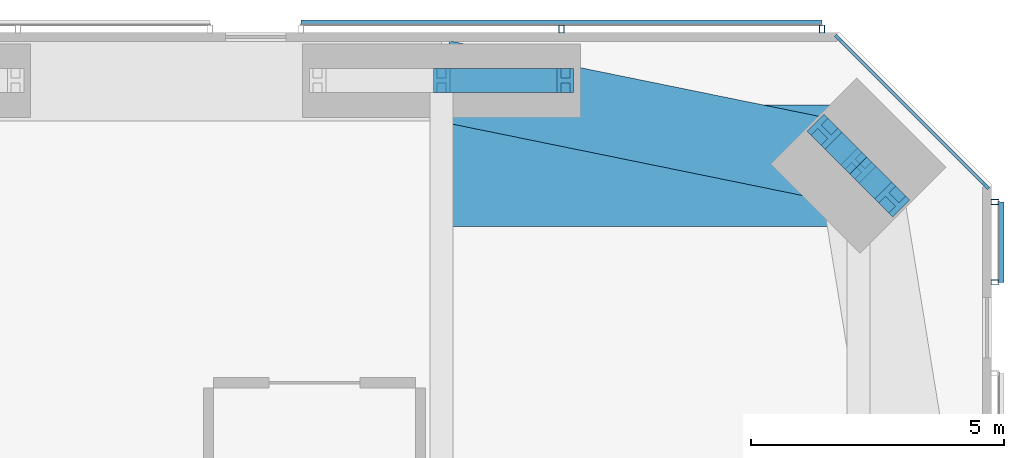
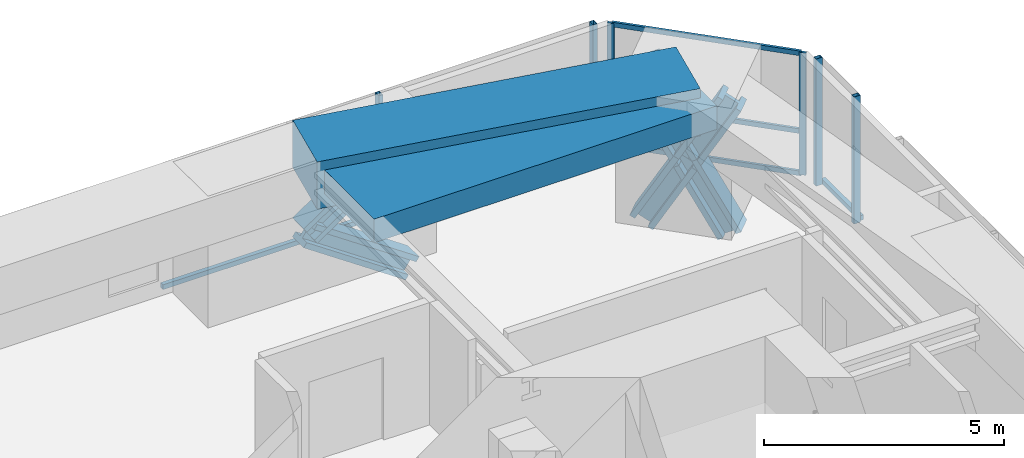
# One storey, part 15 of 24: 17 members, 2 beams, 3 elements without a shape of their own.
"""IFC4 building model written with IfcOpenShell, lengths in metres."""

from ifc_helpers import new_model, si_unit, direction, frame, origin, origin_2d, place, context, subcontext, project, spatial, rectangle, hollow_rectangle, i_section, extrude, material, material_profile, profile_set, type_object, element, aggregate, save


model = new_model("IFC4")

# Units and contexts
model_context = context("Model", 3, precision=1e-05, world=origin(), true_north=direction((0.0, 1.0)))
body_context = subcontext(model_context, "Body", "Model", "MODEL_VIEW")
ifc_project = project(units=[si_unit("LENGTHUNIT", "METRE"), si_unit("AREAUNIT", "SQUARE_METRE"), si_unit("VOLUMEUNIT", "CUBIC_METRE"), si_unit("PLANEANGLEUNIT", "RADIAN"), si_unit("MASSUNIT", "GRAM", prefix="KILO")], contexts=[model_context])

# Site, building, storey
site_placement = place(None, origin())
site = spatial("IfcSite", under=ifc_project, at=site_placement, CompositionType="ELEMENT")
building_placement = place(site_placement, origin())
building = spatial("IfcBuilding", under=site, at=building_placement, Name="Jalousie Tower", CompositionType="ELEMENT")
storey_placement = place(building_placement, frame((0.0, 0.0, 131.64990234375)))
storey = spatial("IfcBuildingStorey", under=building, at=storey_placement, Name="L36", CompositionType="ELEMENT", Elevation=131.64990234375)

# Curtain wall, members
ifc_material_1 = material(Name="Aluminium curtain wall", Category="aluminium")
curtain_wall_type_1 = type_object("IfcCurtainWallType", Name="CORNER WINDOW WALL", PredefinedType="USERDEFINED", material=ifc_material_1)
curtain_wall_1_placement = place(storey_placement, origin())
curtain_wall_1 = element("IfcCurtainWall", 1, at=curtain_wall_1_placement, inside=storey, type_object=curtain_wall_type_1, Name="Corner Window Wall L36 4", ObjectType="CORNER WINDOW WALL", PredefinedType="USERDEFINED")
ifc_material_2 = material(Name="Aluminium mullion", Category="aluminium")
ifc_material_profile_1 = material_profile(ifc_material_2, rectangle(XDim=0.06005859375, YDim=0.14990234375, at=origin_2d()), Name="MULLION 60x150")
ifc_profile_set_1 = profile_set([ifc_material_profile_1], Name="Aluminium mullion")
member_type_1 = type_object("IfcMemberType", Name="CORNER WINDOW WALL MULLION", PredefinedType="MULLION", material=ifc_profile_set_1)
member_1_placement = place(storey_placement, frame((49.391357421875, 34.969970703125, 0.0), z_axis=(0.0, 0.0, 1.0), x_axis=(-0.707106781187, -0.707106781187, 0.0)))
member_1 = element("IfcMember", 2, at=member_1_placement, type_object=member_type_1, Name="CW-C mullion 1", PredefinedType="MULLION", context=body_context, shape_type="SweptSolid", body=[
    extrude(rectangle(XDim=0.06005859375, YDim=0.14990234375, at=origin_2d()), origin(), (0.0, 0.0, 1.0), 3.110107421875),
])
member_2_placement = place(storey_placement, frame((46.469970703125, 37.891357421875, 0.0), z_axis=(0.0, 0.0, 1.0), x_axis=(-0.707106781187, -0.707106781187, 0.0)))
member_2 = element("IfcMember", 3, at=member_2_placement, type_object=member_type_1, Name="CW-C mullion 2", PredefinedType="MULLION", context=body_context, shape_type="SweptSolid", body=[
    extrude(rectangle(XDim=0.06005859375, YDim=0.14990234375, at=origin_2d()), origin(), (0.0, 0.0, 1.0), 3.110107421875),
])
ifc_material_3 = material(Name="Aluminium transom", Category="aluminium")
ifc_material_profile_2 = material_profile(ifc_material_3, rectangle(XDim=0.06005859375, YDim=0.1201171875, at=origin_2d()), Name="TRANSOM 60x120")
ifc_profile_set_2 = profile_set([ifc_material_profile_2], Name="Aluminium transom")
member_type_2 = type_object("IfcMemberType", Name="CORNER WINDOW WALL TRANSOM", PredefinedType="USERDEFINED", material=ifc_profile_set_2)
member_3_placement = place(storey_placement, frame((49.3701171875, 34.9912109375, 0.030029296875), z_axis=(-0.707106781187, 0.707106781187, 0.0), x_axis=(-0.707106781187, -0.707106781187, 0.0)))
member_3 = element("IfcMember", 4, at=member_3_placement, type_object=member_type_2, Name="CW-C transom 1.1", ObjectType="TRANSOM", PredefinedType="USERDEFINED", context=body_context, shape_type="SweptSolid", body=[
    extrude(rectangle(XDim=0.06005859375, YDim=0.1201171875, at=origin_2d()), origin(), (0.0, 0.0, 1.0), 4.0712890625),
])
member_4_placement = place(storey_placement, frame((49.3701171875, 34.9912109375, 1.10009765625), z_axis=(-0.707106781187, 0.707106781187, 0.0), x_axis=(-0.707106781187, -0.707106781187, 0.0)))
member_4 = element("IfcMember", 5, at=member_4_placement, type_object=member_type_2, Name="CW-C transom 1.2", ObjectType="TRANSOM", PredefinedType="USERDEFINED", context=body_context, shape_type="SweptSolid", body=[
    extrude(rectangle(XDim=0.06005859375, YDim=0.1201171875, at=origin_2d()), origin(), (0.0, 0.0, 1.0), 4.0712890625),
])
member_5_placement = place(storey_placement, frame((49.3701171875, 34.9912109375, 3.080078125), z_axis=(-0.707106781187, 0.707106781187, 0.0), x_axis=(-0.707106781187, -0.707106781187, 0.0)))
member_5 = element("IfcMember", 6, at=member_5_placement, type_object=member_type_2, Name="CW-C transom 1.3", ObjectType="TRANSOM", PredefinedType="USERDEFINED", context=body_context, shape_type="SweptSolid", body=[
    extrude(rectangle(XDim=0.06005859375, YDim=0.1201171875, at=origin_2d()), origin(), (0.0, 0.0, 1.0), 4.0712890625),
])
aggregate(curtain_wall_1, [member_1, member_2, member_3, member_4, member_5])

# Members
ifc_material_4 = material(Name="Steel ASTM A992 Grade 50", Category="steel")
ifc_material_profile_3 = material_profile(ifc_material_4, i_section(OverallWidth=0.472412109375, OverallDepth=0.5791015625, WebThickness=0.094970703125, FlangeThickness=0.1298828125, at=origin_2d()), Name="W14X808")
ifc_profile_set_3 = profile_set([ifc_material_profile_3], Name="Steel ASTM A992 Grade 50")
member_type_3 = type_object("IfcMemberType", Name="PERIMETER BRACE W14X808", PredefinedType="BRACE", material=ifc_profile_set_3)
member_6_placement = place(storey_placement, frame((47.540283203125, 34.697021484375, -0.599853515625), z_axis=(-0.348789058631, 0.348789058631, 0.869880672943), x_axis=(-0.707106781187, -0.707106781187, 0.0)))
element("IfcMember", 7, at=member_6_placement, inside=storey, type_object=member_type_3, Name="Perimeter brace 08 L36 part 1", PredefinedType="BRACE", context=body_context, shape_type="SweptSolid", body=[
    extrude(i_section(OverallWidth=0.472412109375, OverallDepth=0.5791015625, WebThickness=0.094970703125, FlangeThickness=0.1298828125, at=origin_2d()), origin(), (0.0, 0.0, 1.0), 1.925537109375),
])
member_7_placement = place(storey_placement, frame((46.86865234375, 35.36865234375, 1.0751953125), z_axis=(-0.348827529765, 0.348827529765, 0.869849819771), x_axis=(-0.707106781187, -0.707106781187, 0.0)))
element("IfcMember", 8, at=member_7_placement, inside=storey, type_object=member_type_3, Name="Perimeter brace 08 L36 part 2", PredefinedType="BRACE", context=body_context, shape_type="SweptSolid", body=[
    extrude(i_section(OverallWidth=0.472412109375, OverallDepth=0.5791015625, WebThickness=0.094970703125, FlangeThickness=0.1298828125, at=origin_2d()), origin(), (0.0, 0.0, 1.0), 1.92529296875),
])
member_8_placement = place(storey_placement, frame((46.197021484375, 36.040283203125, -0.599853515625), z_axis=(0.348789058631, -0.348789058631, 0.869880672943), x_axis=(0.707106781187, 0.707106781187, 0.0)))
element("IfcMember", 9, at=member_8_placement, inside=storey, type_object=member_type_3, Name="Perimeter brace 08 L36 part 3", PredefinedType="BRACE", context=body_context, shape_type="SweptSolid", body=[
    extrude(i_section(OverallWidth=0.472412109375, OverallDepth=0.5791015625, WebThickness=0.094970703125, FlangeThickness=0.1298828125, at=origin_2d()), origin(), (0.0, 0.0, 1.0), 1.925537109375),
])
member_9_placement = place(storey_placement, frame((46.86865234375, 35.36865234375, 1.0751953125), z_axis=(0.348827529765, -0.348827529765, 0.869849819771), x_axis=(0.707106781187, 0.707106781187, 0.0)))
element("IfcMember", 10, at=member_9_placement, inside=storey, type_object=member_type_3, Name="Perimeter brace 08 L36 part 4", PredefinedType="BRACE", context=body_context, shape_type="SweptSolid", body=[
    extrude(i_section(OverallWidth=0.472412109375, OverallDepth=0.5791015625, WebThickness=0.094970703125, FlangeThickness=0.1298828125, at=origin_2d()), origin(), (0.0, 0.0, 1.0), 1.92529296875),
])
for number, where, z_axis, x_axis, name in (
    (11, (38.625, 37.050048828125, 1.0751953125), (0.825539243753, 0.0, 0.564344714713), (0.0, 1.0, 0.0), "Perimeter brace 09 L36 part 2"),
    (12, (41.074951171875, 37.050048828125, -0.599853515625), (-0.825500916831, 0.0, 0.564400776321), (0.0, -1.0, 0.0), "Perimeter brace 09 L36 part 3"),
):
    element("IfcMember", number, at=place(storey_placement, frame(where, z_axis=z_axis, x_axis=x_axis)), inside=storey, type_object=member_type_3, Name=name, PredefinedType="BRACE", context=body_context, shape_type="SweptSolid", body=[
        extrude(i_section(OverallWidth=0.472412109375, OverallDepth=0.5791015625, WebThickness=0.094970703125, FlangeThickness=0.1298828125, at=origin_2d()), origin(), (0.0, 0.0, 1.0), 2.9677734375),
    ])

# Beams
ifc_material_5 = material(Name="Concrete f'c 40 MPa", Category="concrete")
ifc_material_profile_4 = material_profile(ifc_material_5, rectangle(XDim=1.60009765625, YDim=1.199951171875, at=origin_2d()), Name="RC 1600x1200")
ifc_profile_set_4 = profile_set([ifc_material_profile_4], Name="Concrete f'c 40 MPa")
beam_type_1 = type_object("IfcBeamType", Name="RC BEAM 1600x1200", PredefinedType="BEAM", material=ifc_profile_set_4)
beam_1_placement = place(storey_placement, frame((46.86865234375, 35.36865234375, 2.75), z_axis=(-0.97982690954, 0.199848010602, 0.0), x_axis=(-0.199848010602, -0.97982690954, 0.0)))
element("IfcBeam", 13, at=beam_1_placement, inside=storey, type_object=beam_type_1, Name="Edge band beam 08-09 under L37", PredefinedType="BEAM", context=body_context, shape_type="SweptSolid", body=[
    extrude(rectangle(XDim=1.60009765625, YDim=1.199951171875, at=origin_2d()), origin(), (0.0, 0.0, 1.0), 8.413330078125),
])
ifc_material_6 = material(Name="Concrete f'c 40 MPa", Category="concrete")
ifc_material_profile_5 = material_profile(ifc_material_6, rectangle(XDim=2.39990234375, YDim=0.60009765625, at=origin_2d()), Name="RC 2400x600")
ifc_profile_set_5 = profile_set([ifc_material_profile_5], Name="Concrete f'c 40 MPa")
beam_type_2 = type_object("IfcBeamType", Name="RC BEAM 2400x600", PredefinedType="BEAM", material=ifc_profile_set_5)
beam_2_placement = place(storey_placement, frame((46.86865234375, 35.36865234375, 2.81005859375), z_axis=(-1.0, 0.0, 0.0), x_axis=(0.0, -1.0, 0.0)))
element("IfcBeam", 14, at=beam_2_placement, inside=storey, type_object=beam_type_2, Name="Floor band beam under L37", PredefinedType="BEAM", context=body_context, shape_type="SweptSolid", body=[
    extrude(rectangle(XDim=2.39990234375, YDim=0.60009765625, at=origin_2d()), origin(), (0.0, 0.0, 1.0), 8.24365234375),
])

# Curtain wall, members
ifc_material_7 = material(Name="Perforated aluminium sheet", Category="aluminium")
curtain_wall_type_2 = type_object("IfcCurtainWallType", Name="SOLAR SCREEN SS-1", PredefinedType="USERDEFINED", material=ifc_material_7)
curtain_wall_2_placement = place(storey_placement, origin())
curtain_wall_2 = element("IfcCurtainWall", 15, at=curtain_wall_2_placement, inside=storey, type_object=curtain_wall_type_2, Name="Solar screen L36", ObjectType="SOLAR SCREEN SS-1", PredefinedType="USERDEFINED")
ifc_material_8 = material(Name="Steel ASTM A500 Grade C", Category="steel")
ifc_material_profile_6 = material_profile(ifc_material_8, hollow_rectangle(XDim=0.1015625, YDim=0.15234375, WallThickness=0.00634765625, at=origin_2d()), Name="HSS6X4X1/4")
ifc_profile_set_6 = profile_set([ifc_material_profile_6], Name="Steel ASTM A500 Grade C")
member_type_4 = type_object("IfcMemberType", Name="SOLAR SCREEN SS-1 MULLION", PredefinedType="MULLION", material=ifc_profile_set_6)
member_10_placement = place(storey_placement, frame((49.5712890625, 33.06201171875, -0.119873046875), z_axis=(0.0, 0.0, 1.0), x_axis=(0.0, 1.0, 0.0)))
member_10 = element("IfcMember", 16, at=member_10_placement, type_object=member_type_4, Name="SS1 post 1", PredefinedType="MULLION", context=body_context, shape_type="SweptSolid", body=[
    extrude(hollow_rectangle(XDim=0.1015625, YDim=0.15234375, WallThickness=0.00634765625, at=origin_2d()), origin(), (0.0, 0.0, 1.0), 3.22998046875),
])
member_11_placement = place(storey_placement, frame((49.5712890625, 34.648681640625, -0.119873046875), z_axis=(0.0, 0.0, 1.0), x_axis=(0.0, 1.0, 0.0)))
member_11 = element("IfcMember", 17, at=member_11_placement, type_object=member_type_4, Name="SS1 post 2", PredefinedType="MULLION", context=body_context, shape_type="SweptSolid", body=[
    extrude(hollow_rectangle(XDim=0.1015625, YDim=0.15234375, WallThickness=0.00634765625, at=origin_2d()), origin(), (0.0, 0.0, 1.0), 3.22998046875),
])

curtain_wall_3_placement = place(storey_placement, origin())
curtain_wall_3 = element("IfcCurtainWall", 18, at=curtain_wall_3_placement, inside=storey, type_object=curtain_wall_type_2, Name="Solar screen L36", ObjectType="SOLAR SCREEN SS-1", PredefinedType="USERDEFINED")
member_12_placement = place(storey_placement, frame((46.148681640625, 38.0712890625, -0.119873046875), z_axis=(0.0, 0.0, 1.0), x_axis=(-1.0, 0.0, 0.0)))
member_12 = element("IfcMember", 19, at=member_12_placement, type_object=member_type_4, Name="SS1 post 1", PredefinedType="MULLION", context=body_context, shape_type="SweptSolid", body=[
    extrude(hollow_rectangle(XDim=0.1015625, YDim=0.15234375, WallThickness=0.00634765625, at=origin_2d()), origin(), (0.0, 0.0, 1.0), 3.22998046875),
])
member_13_placement = place(storey_placement, frame((40.998291015625, 38.0712890625, -0.119873046875), z_axis=(0.0, 0.0, 1.0), x_axis=(-1.0, 0.0, 0.0)))
member_13 = element("IfcMember", 20, at=member_13_placement, type_object=member_type_4, Name="SS1 post 2", PredefinedType="MULLION", context=body_context, shape_type="SweptSolid", body=[
    extrude(hollow_rectangle(XDim=0.1015625, YDim=0.15234375, WallThickness=0.00634765625, at=origin_2d()), origin(), (0.0, 0.0, 1.0), 3.22998046875),
])

# Member
ifc_material_9 = material(Name="Extruded aluminium screen rail", Category="aluminium")
ifc_material_profile_7 = material_profile(ifc_material_9, rectangle(XDim=0.1015625, YDim=0.1201171875, at=origin_2d()), Name="RAIL 102x120")
ifc_profile_set_7 = profile_set([ifc_material_profile_7], Name="Extruded aluminium screen rail")
member_type_5 = type_object("IfcMemberType", Name="SOLAR SCREEN SS-1 TRANSOM", PredefinedType="USERDEFINED", material=ifc_profile_set_7)
member_14_placement = place(storey_placement, frame((49.6982421875, 33.06201171875, -0.059814453125), z_axis=(0.0, 1.0, 0.0), x_axis=(-1.0, 0.0, 0.0)))
member_14 = element("IfcMember", 21, at=member_14_placement, type_object=member_type_5, Name="SS1 rail", ObjectType="TRANSOM", PredefinedType="USERDEFINED", context=body_context, shape_type="SweptSolid", body=[
    extrude(rectangle(XDim=0.1015625, YDim=0.1201171875, at=origin_2d()), origin(), (0.0, 0.0, 1.0), 1.586669921875),
])

aggregate(curtain_wall_2, [member_10, member_11, member_14])

member_15_placement = place(storey_placement, frame((46.148681640625, 38.1982421875, -0.059814453125), z_axis=(-1.0, 0.0, 0.0), x_axis=(0.0, -1.0, 0.0)))
member_15 = element("IfcMember", 22, at=member_15_placement, type_object=member_type_5, Name="SS1 rail", ObjectType="TRANSOM", PredefinedType="USERDEFINED", context=body_context, shape_type="SweptSolid", body=[
    extrude(rectangle(XDim=0.1015625, YDim=0.1201171875, at=origin_2d()), origin(), (0.0, 0.0, 1.0), 10.300537109375),
])

aggregate(curtain_wall_3, [member_12, member_13, member_15])

save(model, "model.ifc")
